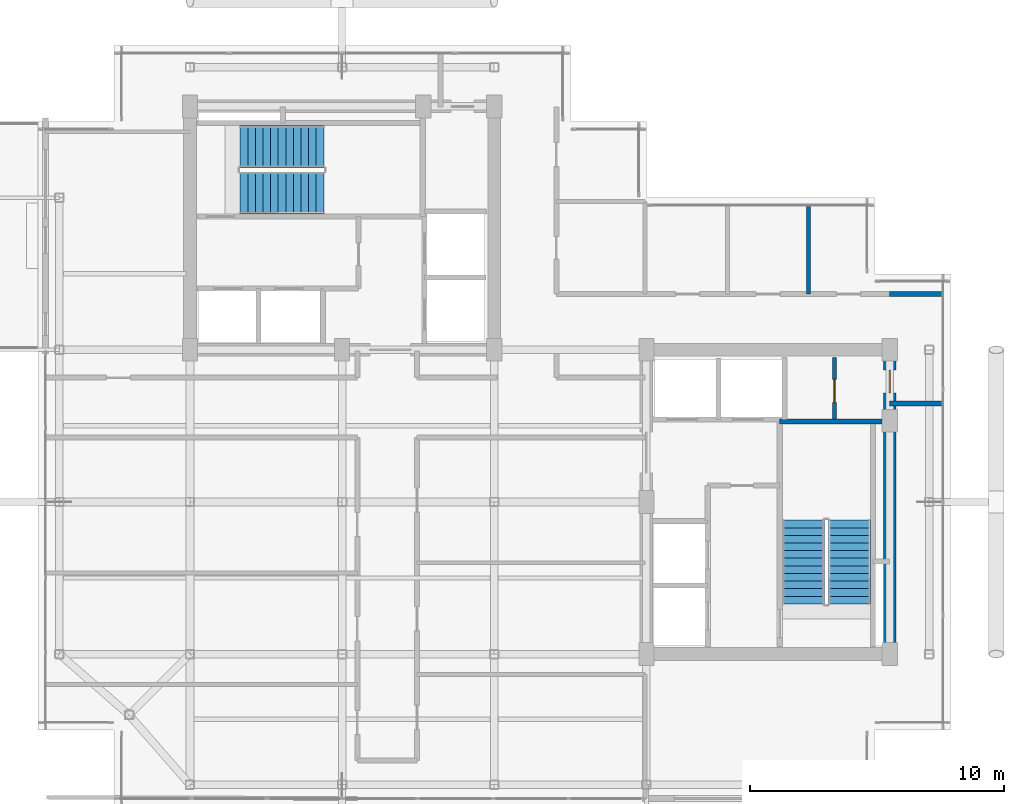
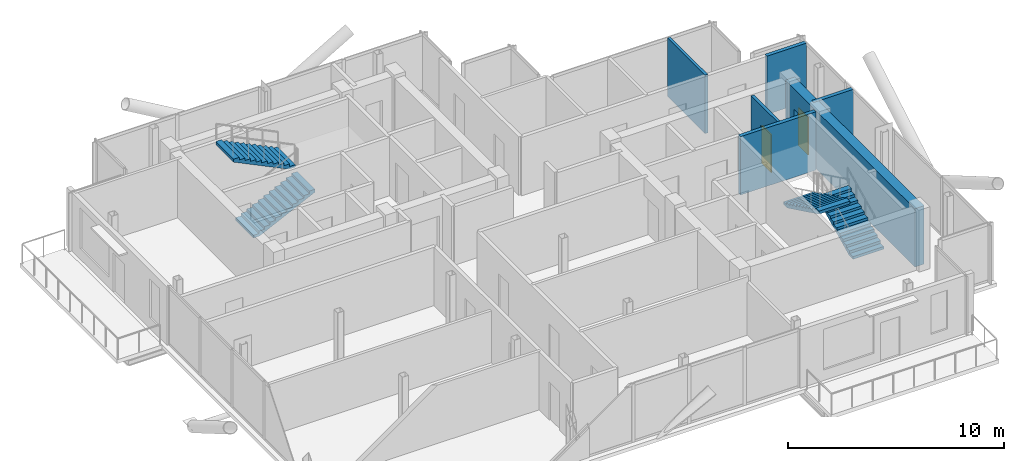
# One storey, part 16 of 18: 6 walls, 4 stair flights, 2 doors, 2 openings, 2 elements without a shape of their own.
"""IFC4 building model written with IfcOpenShell, lengths in metres."""

from ifc_helpers import new_model, si_unit, direction, frame, frame_2d, origin, place, context, subcontext, project, spatial, polyline, rectangle, outline, extrude, material, layer, layer_set, type_object, element, fill, aggregate, save


model = new_model("IFC4")

# Units and contexts
model_context = context("Model", 3, precision=1e-05, world=origin(), true_north=direction((0.0, 1.0)))
body_context = subcontext(model_context, "Body", "Model", "MODEL_VIEW")
ifc_project = project(units=[si_unit("LENGTHUNIT", "METRE"), si_unit("AREAUNIT", "SQUARE_METRE"), si_unit("VOLUMEUNIT", "CUBIC_METRE"), si_unit("PLANEANGLEUNIT", "RADIAN"), si_unit("MASSUNIT", "GRAM", prefix="KILO"), si_unit("THERMODYNAMICTEMPERATUREUNIT", "KELVIN"), si_unit("POWERUNIT", "WATT")], contexts=[model_context])

# Site, building, storey
site_placement = place(None, origin())
site = spatial("IfcSite", under=ifc_project, at=site_placement, CompositionType="ELEMENT")
building_placement = place(site_placement, origin())
building = spatial("IfcBuilding", under=site, at=building_placement, Name="Svarakhadi Broadcast Tower", CompositionType="ELEMENT")
storey_placement = place(building_placement, frame((0.0, 0.0, 274.699951171875)))
storey = spatial("IfcBuildingStorey", under=building, at=storey_placement, Name="L69", CompositionType="ELEMENT", Elevation=274.699951171875)

# Walls
ifc_material_1 = material(Name="Double-Stud Acoustic Studio Partition STC-62", Category="gypsum")
ifc_layer_1 = layer(ifc_material_1, 0.199951171875)
ifc_layer_set_1 = layer_set([ifc_layer_1], Name="Double-Stud Acoustic Studio Partition STC-62")
wall_type_1 = type_object("IfcWallType", Name="Wall_Acoust_200", PredefinedType="PARTITIONING", material=ifc_layer_set_1)
for number, where, z_axis, x_axis, name in (
    (1, (33.580078125, 20.199951171875, 0.0), (0.0, 0.0, 1.0), (1.0, 0.0, 0.0), "L69 Upper Tower Concourse Wall"),
    (2, (35.699951171875, 15.8798828125, 0.0), (0.0, 0.0, 1.0), (-1.0, 0.0, 0.0), "L69 Upper Tower Concourse Wall"),
):
    element("IfcWall", number, at=place(storey_placement, frame(where, z_axis=z_axis, x_axis=x_axis)), inside=storey, type_object=wall_type_1, Name=name, PredefinedType="PARTITIONING", context=body_context, shape_type="SweptSolid", body=[
        extrude(rectangle(XDim=2.119873046875, YDim=0.199951171875, at=frame_2d((1.06005859375, 0.0))), origin(), (0.0, 0.0, 1.0), 3.300048828125),
    ])

# Wall, opening, door
ifc_material_2 = material(Name="Autoclaved Aerated Concrete Blockwork 150 mm", Category="masonry")
ifc_layer_2 = layer(ifc_material_2, 0.14990234375)
ifc_layer_set_2 = layer_set([ifc_layer_2], Name="Autoclaved Aerated Concrete Blockwork 150 mm")
wall_type_2 = type_object("IfcWallType", Name="Wall_Part_150", PredefinedType="PARTITIONING", material=ifc_layer_set_2)
wall_1_placement = place(storey_placement, frame((31.419921875, 15.280029296875, 0.0), z_axis=(0.0, 0.0, 1.0), x_axis=(0.0, 1.0, 0.0)))
wall_1 = element("IfcWall", 3, at=wall_1_placement, inside=storey, type_object=wall_type_2, Name="L69 Core Service Split Wall", PredefinedType="PARTITIONING", context=body_context, shape_type="SweptSolid", body=[
    extrude(rectangle(XDim=2.419921875, YDim=0.14990234375, at=frame_2d((1.2099609375, 0.0))), origin(), (0.0, 0.0, 1.0), 3.300048828125),
])
opening_1_placement = place(wall_1_placement, frame((0.64990234375, 0.0, 0.0)))
opening_1 = element("IfcOpeningElement", 4, at=opening_1_placement, cuts=wall_1, Name="Opening D-04", PredefinedType="OPENING", context=body_context, shape_type="SweptSolid", body=[
    extrude(rectangle(XDim=0.89990234375, YDim=2.14990234375, at=frame_2d((0.449951171875, 1.074951171875))), frame((0.0, 0.0849609375, 0.0), z_axis=(0.0, -1.0, 0.0), x_axis=(1.0, 0.0, 0.0)), (0.0, 0.0, 1.0), 0.169921875),
])
ifc_material_3 = material(Name="Galvanised Powder-Coated Fire-Rated Steel Leaf", Category="steel")
door_type_1 = type_object("IfcDoorType", Name="Door_Fire_D04", OperationType="SINGLE_SWING_RIGHT", PredefinedType="DOOR", material=ifc_material_3)
door_1_placement = place(opening_1_placement, origin())
door_1 = element("IfcDoor", 5, at=door_1_placement, inside=storey, type_object=door_type_1, Name="L69 Core Inner Riser Store Door", OperationType="SINGLE_SWING_RIGHT", OverallHeight=2.14990234375, OverallWidth=0.89990234375, PredefinedType="DOOR", context=body_context, shape_type="SweptSolid", body=[
    extrude(rectangle(XDim=0.89990234375, YDim=2.14990234375, at=frame_2d((0.449951171875, 1.074951171875))), frame((0.0, 0.02490234375, 0.0), z_axis=(0.0, -1.0, 0.0), x_axis=(1.0, 0.0, 0.0)), (0.0, 0.0, 1.0), 0.050048828125),
])
fill(opening_1, door_1)

# Walls
wall_2_placement = place(storey_placement, frame((30.39990234375, 20.199951171875, 0.0), z_axis=(0.0, 0.0, 1.0), x_axis=(0.0, 1.0, 0.0)))
element("IfcWall", 6, at=wall_2_placement, inside=storey, type_object=wall_type_2, Name="L69 Private Sommelier Tasting Pantry Wall", PredefinedType="PARTITIONING", context=body_context, shape_type="SweptSolid", body=[
    extrude(rectangle(XDim=3.5, YDim=0.14990234375, at=frame_2d((1.75, 0.0))), origin(), (0.0, 0.0, 1.0), 3.300048828125),
])
ifc_material_4 = material(Name="Concrete C50/60 (IS 456 M60)", Category="concrete")
ifc_layer_3 = layer(ifc_material_4, 0.199951171875)
ifc_layer_set_3 = layer_set([ifc_layer_3], Name="Concrete C50/60 (IS 456 M60)")
wall_type_3 = type_object("IfcWallType", Name="Wall_Shear_200", PredefinedType="SHEAR", material=ifc_layer_set_3)
wall_3_placement = place(storey_placement, frame((29.260009765625, 15.179931640625, 0.0), z_axis=(0.0, 0.0, 1.0), x_axis=(1.0, 0.0, 0.0)))
element("IfcWall", 7, at=wall_3_placement, inside=storey, type_object=wall_type_3, Name="L69 Stair ST-02 North RC Shaft Wall", PredefinedType="SHEAR", context=body_context, shape_type="SweptSolid", body=[
    extrude(rectangle(XDim=4.0400390625, YDim=0.199951171875, at=frame_2d((2.02001953125, 0.0))), origin(), (0.0, 0.0, 1.0), 3.300048828125),
])

# Wall, opening, door
ifc_layer_4 = layer(ifc_material_4, 0.5)
ifc_layer_set_4 = layer_set([ifc_layer_4], Name="Concrete C50/60 (IS 456 M60)")
wall_type_4 = type_object("IfcWallType", Name="Wall_Shear_500", PredefinedType="SHEAR", material=ifc_layer_set_4)
wall_4_placement = place(storey_placement, frame((33.60009765625, 6.0, 0.0), z_axis=(0.0, 0.0, 1.0), x_axis=(0.0, 1.0, 0.0)))
wall_4 = element("IfcWall", 8, at=wall_4_placement, inside=storey, type_object=wall_type_4, Name="L69 East Core East Shear Wall", PredefinedType="SHEAR", context=body_context, shape_type="SweptSolid", body=[
    extrude(rectangle(XDim=12.0, YDim=0.5, at=frame_2d((6.0, 0.0))), origin(), (0.0, 0.0, 1.0), 3.300048828125),
])
opening_2_placement = place(wall_4_placement, frame((10.300048828125, 0.0, 0.0)))
opening_2 = element("IfcOpeningElement", 9, at=opening_2_placement, cuts=wall_4, Name="Opening D-03", PredefinedType="OPENING", context=body_context, shape_type="SweptSolid", body=[
    extrude(rectangle(XDim=0.89990234375, YDim=2.14990234375, at=frame_2d((0.449951171875, 1.074951171875))), frame((0.0, 0.260009765625, 0.0), z_axis=(0.0, -1.0, 0.0), x_axis=(1.0, 0.0, 0.0)), (0.0, 0.0, 1.0), 0.52001953125),
])
door_type_2 = type_object("IfcDoorType", Name="Door_Fire_D03", OperationType="SINGLE_SWING_LEFT", PredefinedType="DOOR", material=ifc_material_3)
door_2_placement = place(opening_2_placement, origin())
door_2 = element("IfcDoor", 10, at=door_2_placement, inside=storey, type_object=door_type_2, Name="L69 Core Outer Service Store Door", OperationType="SINGLE_SWING_LEFT", OverallHeight=2.14990234375, OverallWidth=0.89990234375, PredefinedType="DOOR", context=body_context, shape_type="SweptSolid", body=[
    extrude(rectangle(XDim=0.89990234375, YDim=2.14990234375, at=frame_2d((0.449951171875, 1.074951171875))), frame((0.0, 0.02490234375, 0.0), z_axis=(0.0, -1.0, 0.0), x_axis=(1.0, 0.0, 0.0)), (0.0, 0.0, 1.0), 0.050048828125),
])
fill(opening_2, door_2)

# Stair, stair flights
ifc_material_5 = material(Name="Concrete C40/50 (IS 456 M50)", Category="concrete")
stair_type = type_object("IfcStairType", Name="Stair_Exit_Core", PredefinedType="HALF_TURN_STAIR", material=ifc_material_5)
stair_1_placement = place(storey_placement, origin())
stair_1 = element("IfcStair", 11, at=stair_1_placement, inside=storey, type_object=stair_type, Name="L69 West Core Protected Exit Stair ST-01", PredefinedType="HALF_TURN_STAIR")
stair_flight_type = type_object("IfcStairFlightType", Name="Flight_RC_1680", PredefinedType="STRAIGHT", material=ifc_material_5)
stair_flight_1_placement = place(storey_placement, frame((7.97998046875, 24.18994140625, 0.0), z_axis=(0.0, 0.0, 1.0), x_axis=(1.0, 0.0, 0.0)))
stair_flight_1 = element("IfcStairFlight", 12, at=stair_flight_1_placement, type_object=stair_flight_type, Name="ST-01 flight 1", NumberOfRisers=12, NumberOfTreads=11, PredefinedType="STRAIGHT", RiserHeight=0.145833333, TreadLength=0.3, context=body_context, shape_type="SweptSolid", body=[
    extrude(outline(polyline([(0.0, 0.0), (0.0, 0.145751953125), (0.300048828125, 0.145751953125), (0.300048828125, 0.291748046875), (0.60009765625, 0.291748046875), (0.60009765625, 0.4375), (0.89990234375, 0.4375), (0.89990234375, 0.583251953125), (1.199951171875, 0.583251953125), (1.199951171875, 0.729248046875), (1.5, 0.729248046875), (1.5, 0.875), (1.800048828125, 0.875), (1.800048828125, 1.020751953125), (2.10009765625, 1.020751953125), (2.10009765625, 1.166748046875), (2.39990234375, 1.166748046875), (2.39990234375, 1.3125), (2.699951171875, 1.3125), (2.699951171875, 1.458251953125), (3.0, 1.458251953125), (3.0, 1.604248046875), (3.300048828125, 1.604248046875), (3.300048828125, 1.75), (3.300048828125, 1.4375), (0.3427734375, 0.0), (0.0, 0.0)])), frame((0.0, 0.830078125, 0.0), z_axis=(0.0, -1.0, 0.0), x_axis=(1.0, 0.0, 0.0)), (0.0, 0.0, 1.0), 1.659912109375),
])
stair_flight_2_placement = place(storey_placement, frame((11.280029296875, 26.010009765625, 1.75), z_axis=(0.0, 0.0, 1.0), x_axis=(-1.0, 0.0, 0.0)))
stair_flight_2 = element("IfcStairFlight", 13, at=stair_flight_2_placement, type_object=stair_flight_type, Name="ST-01 flight 2", NumberOfRisers=12, NumberOfTreads=11, PredefinedType="STRAIGHT", RiserHeight=0.145833333, TreadLength=0.3, context=body_context, shape_type="SweptSolid", body=[
    extrude(outline(polyline([(0.0, 0.0), (0.0, 0.145751953125), (0.300048828125, 0.145751953125), (0.300048828125, 0.291748046875), (0.60009765625, 0.291748046875), (0.60009765625, 0.4375), (0.89990234375, 0.4375), (0.89990234375, 0.583251953125), (1.199951171875, 0.583251953125), (1.199951171875, 0.729248046875), (1.5, 0.729248046875), (1.5, 0.875), (1.800048828125, 0.875), (1.800048828125, 1.020751953125), (2.10009765625, 1.020751953125), (2.10009765625, 1.166748046875), (2.39990234375, 1.166748046875), (2.39990234375, 1.3125), (2.699951171875, 1.3125), (2.699951171875, 1.458251953125), (3.0, 1.458251953125), (3.0, 1.604248046875), (3.300048828125, 1.604248046875), (3.300048828125, 1.75), (3.300048828125, 1.4375), (0.3427734375, 0.0), (0.0, 0.0)])), frame((0.0, 0.830078125, 0.0), z_axis=(0.0, -1.0, 0.0), x_axis=(1.0, 0.0, 0.0)), (0.0, 0.0, 1.0), 1.659912109375),
])
aggregate(stair_1, [stair_flight_1, stair_flight_2])

stair_2_placement = place(storey_placement, origin())
stair_2 = element("IfcStair", 14, at=stair_2_placement, inside=storey, type_object=stair_type, Name="L69 East Core Protected Exit Stair ST-02", PredefinedType="HALF_TURN_STAIR")
stair_flight_3_placement = place(storey_placement, frame((32.010009765625, 7.97998046875, 0.0), z_axis=(0.0, 0.0, 1.0), x_axis=(0.0, 1.0, 0.0)))
stair_flight_3 = element("IfcStairFlight", 15, at=stair_flight_3_placement, type_object=stair_flight_type, Name="ST-02 flight 1", NumberOfRisers=12, NumberOfTreads=11, PredefinedType="STRAIGHT", RiserHeight=0.145833333, TreadLength=0.3, context=body_context, shape_type="SweptSolid", body=[
    extrude(outline(polyline([(0.0, 0.0), (0.0, 0.145751953125), (0.300048828125, 0.145751953125), (0.300048828125, 0.291748046875), (0.60009765625, 0.291748046875), (0.60009765625, 0.4375), (0.89990234375, 0.4375), (0.89990234375, 0.583251953125), (1.199951171875, 0.583251953125), (1.199951171875, 0.729248046875), (1.5, 0.729248046875), (1.5, 0.875), (1.800048828125, 0.875), (1.800048828125, 1.020751953125), (2.10009765625, 1.020751953125), (2.10009765625, 1.166748046875), (2.39990234375, 1.166748046875), (2.39990234375, 1.3125), (2.699951171875, 1.3125), (2.699951171875, 1.458251953125), (3.0, 1.458251953125), (3.0, 1.604248046875), (3.300048828125, 1.604248046875), (3.300048828125, 1.75), (3.300048828125, 1.4375), (0.3427734375, 0.0), (0.0, 0.0)])), frame((0.0, 0.830078125, 0.0), z_axis=(0.0, -1.0, 0.0), x_axis=(1.0, 0.0, 0.0)), (0.0, 0.0, 1.0), 1.659912109375),
])
stair_flight_4_placement = place(storey_placement, frame((30.18994140625, 11.280029296875, 1.75), z_axis=(0.0, 0.0, 1.0), x_axis=(0.0, -1.0, 0.0)))
stair_flight_4 = element("IfcStairFlight", 16, at=stair_flight_4_placement, type_object=stair_flight_type, Name="ST-02 flight 2", NumberOfRisers=12, NumberOfTreads=11, PredefinedType="STRAIGHT", RiserHeight=0.145833333, TreadLength=0.3, context=body_context, shape_type="SweptSolid", body=[
    extrude(outline(polyline([(0.0, 0.0), (0.0, 0.145751953125), (0.300048828125, 0.145751953125), (0.300048828125, 0.291748046875), (0.60009765625, 0.291748046875), (0.60009765625, 0.4375), (0.89990234375, 0.4375), (0.89990234375, 0.583251953125), (1.199951171875, 0.583251953125), (1.199951171875, 0.729248046875), (1.5, 0.729248046875), (1.5, 0.875), (1.800048828125, 0.875), (1.800048828125, 1.020751953125), (2.10009765625, 1.020751953125), (2.10009765625, 1.166748046875), (2.39990234375, 1.166748046875), (2.39990234375, 1.3125), (2.699951171875, 1.3125), (2.699951171875, 1.458251953125), (3.0, 1.458251953125), (3.0, 1.604248046875), (3.300048828125, 1.604248046875), (3.300048828125, 1.75), (3.300048828125, 1.4375), (0.3427734375, 0.0), (0.0, 0.0)])), frame((0.0, 0.830078125, 0.0), z_axis=(0.0, -1.0, 0.0), x_axis=(1.0, 0.0, 0.0)), (0.0, 0.0, 1.0), 1.659912109375),
])
aggregate(stair_2, [stair_flight_3, stair_flight_4])

save(model, "model.ifc")
